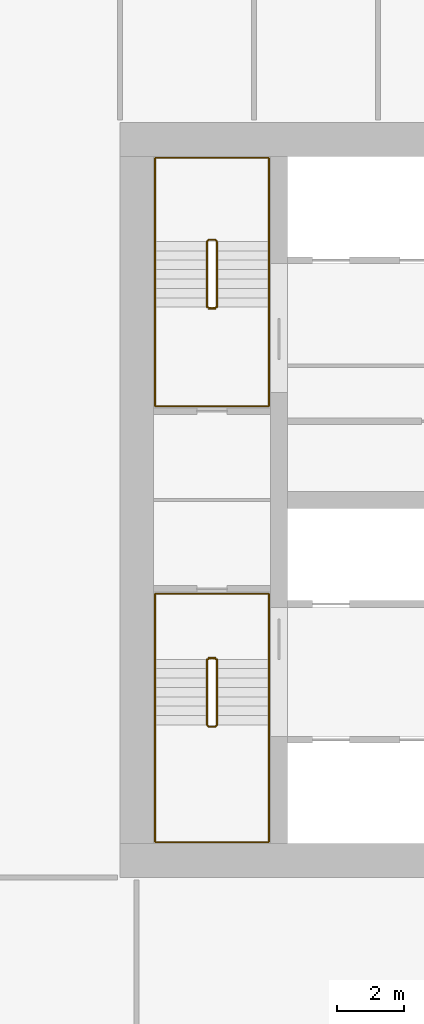
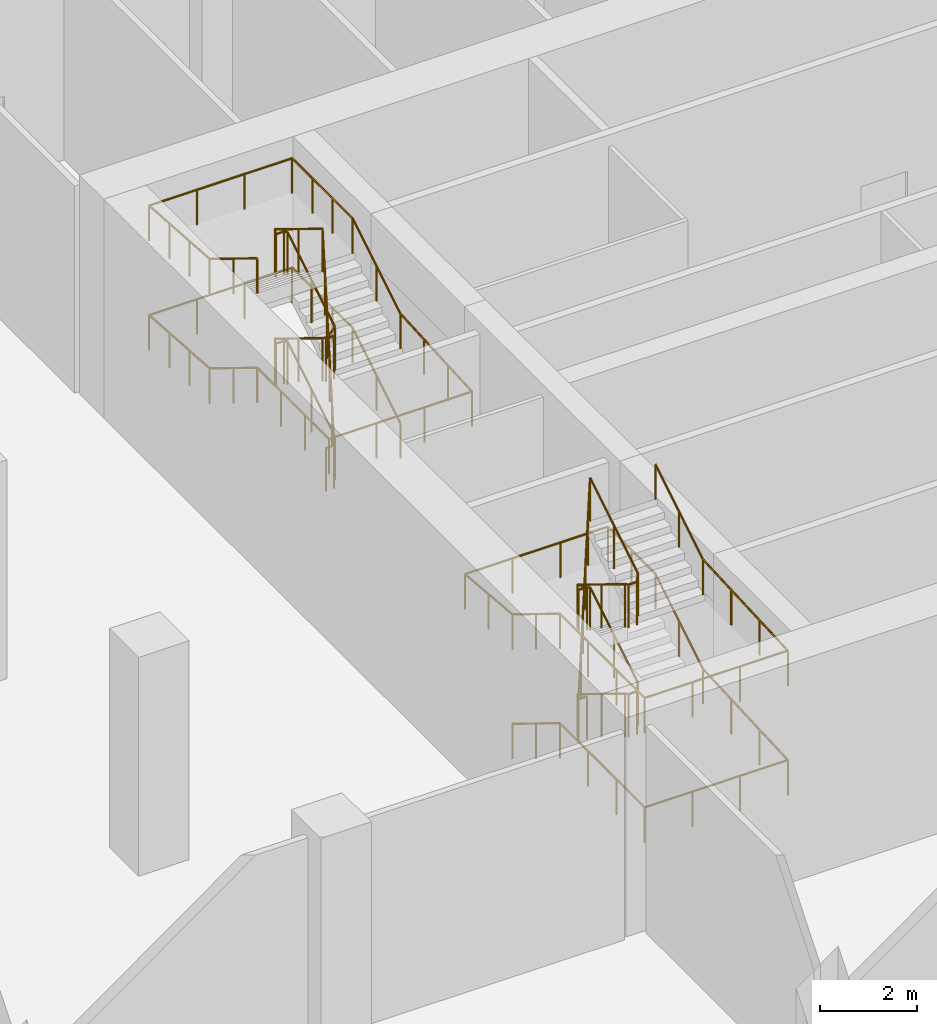
# One storey, part 25 of 35: 4 railings.
"""IFC4 building model written with IfcOpenShell, lengths in metres."""

from ifc_helpers import new_model, si_unit, direction, frame, origin, origin_2d, place, context, subcontext, project, spatial, circle, extrude, material, type_object, element, save


model = new_model("IFC4")

# Units and contexts
model_context = context("Model", 3, precision=1e-05, world=origin(), true_north=direction((0.0, 1.0)))
body_context = subcontext(model_context, "Body", "Model", "MODEL_VIEW")
ifc_project = project(units=[si_unit("LENGTHUNIT", "METRE"), si_unit("AREAUNIT", "SQUARE_METRE"), si_unit("VOLUMEUNIT", "CUBIC_METRE"), si_unit("PLANEANGLEUNIT", "RADIAN"), si_unit("MASSUNIT", "GRAM", prefix="KILO")], contexts=[model_context])

# Site, building, storey
site_placement = place(None, origin())
site = spatial("IfcSite", under=ifc_project, at=site_placement, CompositionType="ELEMENT")
building_placement = place(site_placement, origin())
building = spatial("IfcBuilding", under=site, at=building_placement, Name="Tamorin Gate", CompositionType="ELEMENT")
storey_placement = place(building_placement, frame((0.0, 0.0, 8.0)))
storey = spatial("IfcBuildingStorey", under=building, at=storey_placement, Name="L01", CompositionType="ELEMENT", Elevation=8.0)

# Railings
ifc_material_1 = material(Name="Painted steel balustrade", Category="steel")
railing_type_1 = type_object("IfcRailingType", Name="Stair guard 1100", PredefinedType="GUARDRAIL", material=ifc_material_1)
railing_1_placement = place(storey_placement, frame((32.60009765625, 66.5, 0.171875)))
element("IfcRailing", 1, at=railing_1_placement, inside=storey, type_object=railing_type_1, Name="L01 ST1 stair guard 1", PredefinedType="GUARDRAIL", context=body_context, shape_type="SweptSolid", body=[
    extrude(circle(Radius=0.02392578125, at=origin_2d()), frame((0.0, 0.0, 1.076171875), z_axis=(0.0, -0.852240978134, 0.523149419562), x_axis=(1.0, 0.0, 0.0)), (0.0, 0.0, 1.0), 2.2998046875),
    extrude(circle(Radius=0.02392578125, at=origin_2d()), frame((0.0, -1.9599609375, 2.279296875), z_axis=(0.705375805398, -0.708833529934, 0.0), x_axis=(0.708833529934, 0.705375805398, 0.0)), (0.0, 0.0, 1.0), 0.070556640625),
    extrude(circle(Radius=0.02392578125, at=origin_2d()), frame((0.0498046875, -2.010009765625, 2.279296875), z_axis=(1.0, 0.0, 0.0), x_axis=(0.0, 1.0, 0.0)), (0.0, 0.0, 1.0), 0.2001953125),
    extrude(circle(Radius=0.02392578125, at=origin_2d()), frame((0.25, -2.010009765625, 2.279296875), z_axis=(0.268036860282, 0.26935076646, 0.924989949209), x_axis=(-0.708833529934, 0.705375805398, 0.0)), (0.0, 0.0, 1.0), 0.185791015625),
    extrude(circle(Radius=0.02392578125, at=origin_2d()), frame((0.2998046875, -1.9599609375, 2.451171875), z_axis=(0.0, 0.852240978134, 0.523149419562), x_axis=(-1.0, 0.0, 0.0)), (0.0, 0.0, 1.0), 2.2998046875),
    extrude(circle(Radius=0.02392578125, at=origin_2d()), frame((0.2998046875, 0.0, 3.654296875), z_axis=(-0.98054382908, 0.196300278283, 0.0), x_axis=(-0.196300278283, -0.98054382908, 0.0)), (0.0, 0.0, 1.0), 0.2548828125),
    extrude(circle(Radius=0.02392578125, at=origin_2d()), frame((0.0498046875, 0.050048828125, 3.654296875), z_axis=(1.0, 0.0, 0.0), x_axis=(0.0, 1.0, 0.0)), (0.0, 0.0, 1.0), 0.2001953125),
    extrude(circle(Radius=0.02392578125, at=origin_2d()), frame((0.25, 0.050048828125, 3.654296875), z_axis=(-0.81305262559, -0.162769324459, 0.558973680093), x_axis=(0.196300278283, -0.98054382908, 0.0)), (0.0, 0.0, 1.0), 0.307373046875),
    extrude(circle(Radius=0.02392578125, at=origin_2d()), frame((0.0, 0.0, 3.826171875), z_axis=(0.0, -0.852240978134, 0.523149419562), x_axis=(1.0, 0.0, 0.0)), (0.0, 0.0, 1.0), 2.2998046875),
    extrude(circle(Radius=0.02392578125, at=origin_2d()), frame((0.0, -1.9599609375, 5.029296875), z_axis=(0.705375805398, -0.708833529934, 0.0), x_axis=(0.708833529934, 0.705375805398, 0.0)), (0.0, 0.0, 1.0), 0.070556640625),
    extrude(circle(Radius=0.02392578125, at=origin_2d()), frame((0.0498046875, -2.010009765625, 5.029296875), z_axis=(1.0, 0.0, 0.0), x_axis=(0.0, 1.0, 0.0)), (0.0, 0.0, 1.0), 0.2001953125),
    extrude(circle(Radius=0.02392578125, at=origin_2d()), frame((0.25, -2.010009765625, 5.029296875), z_axis=(0.268036860282, 0.26935076646, 0.924989949209), x_axis=(-0.708833529934, 0.705375805398, 0.0)), (0.0, 0.0, 1.0), 0.185791015625),
    extrude(circle(Radius=0.02392578125, at=origin_2d()), frame((0.2998046875, -1.9599609375, 5.201171875), z_axis=(0.0, 0.852240978134, 0.523149419562), x_axis=(-1.0, 0.0, 0.0)), (0.0, 0.0, 1.0), 2.2998046875),
    extrude(circle(Radius=0.02392578125, at=origin_2d()), frame((0.2998046875, 0.0, 6.404296875), z_axis=(-0.045405784895, 0.009090025296, -0.998927267692), x_axis=(-0.196300278283, -0.98054382908, 0.0)), (0.0, 0.0, 1.0), 5.505859375),
    extrude(circle(Radius=0.02392578125, at=origin_2d()), frame((0.0498046875, 0.050048828125, 0.904296875), z_axis=(1.0, 0.0, 0.0), x_axis=(0.0, 1.0, 0.0)), (0.0, 0.0, 1.0), 0.2001953125),
    extrude(circle(Radius=0.02099609375, at=origin_2d()), origin(), (0.0, 0.0, 1.0), 1.052001953125),
    extrude(circle(Radius=0.02099609375, at=origin_2d()), frame((0.0, -0.97998046875, 0.6015625)), (0.0, 0.0, 1.0), 1.052001953125),
    extrude(circle(Radius=0.02099609375, at=origin_2d()), frame((0.0, -1.9599609375, 1.203125)), (0.0, 0.0, 1.0), 1.052001953125),
    extrude(circle(Radius=0.02099609375, at=origin_2d()), frame((0.0498046875, -2.010009765625, 1.203125)), (0.0, 0.0, 1.0), 1.052001953125),
    extrude(circle(Radius=0.02099609375, at=origin_2d()), frame((0.25, -2.010009765625, 1.203125)), (0.0, 0.0, 1.0), 1.052001953125),
    extrude(circle(Radius=0.02099609375, at=origin_2d()), frame((0.2998046875, -1.9599609375, 1.375)), (0.0, 0.0, 1.0), 1.052001953125),
    extrude(circle(Radius=0.02099609375, at=origin_2d()), frame((0.2998046875, -0.97998046875, 1.9765625)), (0.0, 0.0, 1.0), 1.052001953125),
    extrude(circle(Radius=0.02099609375, at=origin_2d()), frame((0.2998046875, 0.0, 2.578125)), (0.0, 0.0, 1.0), 1.052001953125),
    extrude(circle(Radius=0.02099609375, at=origin_2d()), frame((0.0498046875, 0.050048828125, 2.578125)), (0.0, 0.0, 1.0), 1.052001953125),
    extrude(circle(Radius=0.02099609375, at=origin_2d()), frame((0.25, 0.050048828125, 2.578125)), (0.0, 0.0, 1.0), 1.052001953125),
    extrude(circle(Radius=0.02099609375, at=origin_2d()), frame((0.0, 0.0, 2.75)), (0.0, 0.0, 1.0), 1.052001953125),
    extrude(circle(Radius=0.02099609375, at=origin_2d()), frame((0.0, -0.97998046875, 3.3515625)), (0.0, 0.0, 1.0), 1.052001953125),
    extrude(circle(Radius=0.02099609375, at=origin_2d()), frame((0.0, -1.9599609375, 3.953125)), (0.0, 0.0, 1.0), 1.052001953125),
    extrude(circle(Radius=0.02099609375, at=origin_2d()), frame((0.0498046875, -2.010009765625, 3.953125)), (0.0, 0.0, 1.0), 1.052001953125),
    extrude(circle(Radius=0.02099609375, at=origin_2d()), frame((0.25, -2.010009765625, 3.953125)), (0.0, 0.0, 1.0), 1.052001953125),
    extrude(circle(Radius=0.02099609375, at=origin_2d()), frame((0.2998046875, -1.9599609375, 4.125)), (0.0, 0.0, 1.0), 1.052001953125),
    extrude(circle(Radius=0.02099609375, at=origin_2d()), frame((0.2998046875, -0.97998046875, 4.7265625)), (0.0, 0.0, 1.0), 1.052001953125),
    extrude(circle(Radius=0.02099609375, at=origin_2d()), frame((0.2998046875, 0.0, 5.328125)), (0.0, 0.0, 1.0), 1.052001953125),
    extrude(circle(Radius=0.02099609375, at=origin_2d()), frame((0.249755859375, 0.010009765625, 4.22802734375)), (0.0, 0.0, 1.0), 1.052001953125),
    extrude(circle(Radius=0.02099609375, at=origin_2d()), frame((0.19970703125, 0.02001953125, 3.128173828125)), (0.0, 0.0, 1.0), 1.052001953125),
    extrude(circle(Radius=0.02099609375, at=origin_2d()), frame((0.14990234375, 0.030029296875, 2.028076171875)), (0.0, 0.0, 1.0), 1.052001953125),
    extrude(circle(Radius=0.02099609375, at=origin_2d()), frame((0.099853515625, 0.0400390625, 0.92822265625)), (0.0, 0.0, 1.0), 1.052001953125),
    extrude(circle(Radius=0.02099609375, at=origin_2d()), frame((0.0498046875, 0.050048828125, -0.171875)), (0.0, 0.0, 1.0), 1.052001953125),
    extrude(circle(Radius=0.02099609375, at=origin_2d()), frame((0.25, 0.050048828125, -0.171875)), (0.0, 0.0, 1.0), 1.052001953125),
])
railing_2_placement = place(storey_placement, frame((32.89990234375, 77.0, 0.171875)))
element("IfcRailing", 2, at=railing_2_placement, inside=storey, type_object=railing_type_1, Name="L01 ST2 stair guard 1", PredefinedType="GUARDRAIL", context=body_context, shape_type="SweptSolid", body=[
    extrude(circle(Radius=0.02392578125, at=origin_2d()), frame((0.0, 0.0, 1.076171875), z_axis=(0.0, 0.852240978134, 0.523149419562), x_axis=(-1.0, 0.0, 0.0)), (0.0, 0.0, 1.0), 2.2998046875),
    extrude(circle(Radius=0.02392578125, at=origin_2d()), frame((0.0, 1.9599609375, 2.279296875), z_axis=(-0.705375805398, 0.708833529934, 0.0), x_axis=(-0.708833529934, -0.705375805398, 0.0)), (0.0, 0.0, 1.0), 0.070556640625),
    extrude(circle(Radius=0.02392578125, at=origin_2d()), frame((-0.0498046875, 2.010009765625, 2.279296875), z_axis=(-1.0, 0.0, 0.0), x_axis=(0.0, -1.0, 0.0)), (0.0, 0.0, 1.0), 0.2001953125),
    extrude(circle(Radius=0.02392578125, at=origin_2d()), frame((-0.25, 2.010009765625, 2.279296875), z_axis=(-0.268036860282, -0.26935076646, 0.924989949209), x_axis=(0.708833529934, -0.705375805398, 0.0)), (0.0, 0.0, 1.0), 0.185791015625),
    extrude(circle(Radius=0.02392578125, at=origin_2d()), frame((-0.2998046875, 1.9599609375, 2.451171875), z_axis=(0.0, -0.852240978134, 0.523149419562), x_axis=(1.0, 0.0, 0.0)), (0.0, 0.0, 1.0), 2.2998046875),
    extrude(circle(Radius=0.02392578125, at=origin_2d()), frame((-0.2998046875, 0.0, 3.654296875), z_axis=(0.98054382908, -0.196300278283, 0.0), x_axis=(0.196300278283, 0.98054382908, 0.0)), (0.0, 0.0, 1.0), 0.2548828125),
    extrude(circle(Radius=0.02392578125, at=origin_2d()), frame((-0.0498046875, -0.050048828125, 3.654296875), z_axis=(-1.0, 0.0, 0.0), x_axis=(0.0, -1.0, 0.0)), (0.0, 0.0, 1.0), 0.2001953125),
    extrude(circle(Radius=0.02392578125, at=origin_2d()), frame((-0.25, -0.050048828125, 3.654296875), z_axis=(0.81305262559, 0.162769324459, 0.558973680093), x_axis=(-0.196300278283, 0.98054382908, 0.0)), (0.0, 0.0, 1.0), 0.307373046875),
    extrude(circle(Radius=0.02392578125, at=origin_2d()), frame((0.0, 0.0, 3.826171875), z_axis=(0.0, 0.852240978134, 0.523149419562), x_axis=(-1.0, 0.0, 0.0)), (0.0, 0.0, 1.0), 2.2998046875),
    extrude(circle(Radius=0.02392578125, at=origin_2d()), frame((0.0, 1.9599609375, 5.029296875), z_axis=(-0.705375805398, 0.708833529934, 0.0), x_axis=(-0.708833529934, -0.705375805398, 0.0)), (0.0, 0.0, 1.0), 0.070556640625),
    extrude(circle(Radius=0.02392578125, at=origin_2d()), frame((-0.0498046875, 2.010009765625, 5.029296875), z_axis=(-1.0, 0.0, 0.0), x_axis=(0.0, -1.0, 0.0)), (0.0, 0.0, 1.0), 0.2001953125),
    extrude(circle(Radius=0.02392578125, at=origin_2d()), frame((-0.25, 2.010009765625, 5.029296875), z_axis=(-0.268036860282, -0.26935076646, 0.924989949209), x_axis=(0.708833529934, -0.705375805398, 0.0)), (0.0, 0.0, 1.0), 0.185791015625),
    extrude(circle(Radius=0.02392578125, at=origin_2d()), frame((-0.2998046875, 1.9599609375, 5.201171875), z_axis=(0.0, -0.852240978134, 0.523149419562), x_axis=(1.0, 0.0, 0.0)), (0.0, 0.0, 1.0), 2.2998046875),
    extrude(circle(Radius=0.02392578125, at=origin_2d()), frame((-0.2998046875, 0.0, 6.404296875), z_axis=(0.045405784895, -0.009090025296, -0.998927267692), x_axis=(0.196300278283, 0.98054382908, 0.0)), (0.0, 0.0, 1.0), 5.505859375),
    extrude(circle(Radius=0.02392578125, at=origin_2d()), frame((-0.0498046875, -0.050048828125, 0.904296875), z_axis=(-1.0, 0.0, 0.0), x_axis=(0.0, -1.0, 0.0)), (0.0, 0.0, 1.0), 0.2001953125),
    extrude(circle(Radius=0.02099609375, at=origin_2d()), origin(), (0.0, 0.0, 1.0), 1.052001953125),
    extrude(circle(Radius=0.02099609375, at=origin_2d()), frame((0.0, 0.97998046875, 0.6015625)), (0.0, 0.0, 1.0), 1.052001953125),
    extrude(circle(Radius=0.02099609375, at=origin_2d()), frame((0.0, 1.9599609375, 1.203125)), (0.0, 0.0, 1.0), 1.052001953125),
    extrude(circle(Radius=0.02099609375, at=origin_2d()), frame((-0.0498046875, 2.010009765625, 1.203125)), (0.0, 0.0, 1.0), 1.052001953125),
    extrude(circle(Radius=0.02099609375, at=origin_2d()), frame((-0.25, 2.010009765625, 1.203125)), (0.0, 0.0, 1.0), 1.052001953125),
    extrude(circle(Radius=0.02099609375, at=origin_2d()), frame((-0.2998046875, 1.9599609375, 1.375)), (0.0, 0.0, 1.0), 1.052001953125),
    extrude(circle(Radius=0.02099609375, at=origin_2d()), frame((-0.2998046875, 0.97998046875, 1.9765625)), (0.0, 0.0, 1.0), 1.052001953125),
    extrude(circle(Radius=0.02099609375, at=origin_2d()), frame((-0.2998046875, 0.0, 2.578125)), (0.0, 0.0, 1.0), 1.052001953125),
    extrude(circle(Radius=0.02099609375, at=origin_2d()), frame((-0.0498046875, -0.050048828125, 2.578125)), (0.0, 0.0, 1.0), 1.052001953125),
    extrude(circle(Radius=0.02099609375, at=origin_2d()), frame((-0.25, -0.050048828125, 2.578125)), (0.0, 0.0, 1.0), 1.052001953125),
    extrude(circle(Radius=0.02099609375, at=origin_2d()), frame((0.0, 0.0, 2.75)), (0.0, 0.0, 1.0), 1.052001953125),
    extrude(circle(Radius=0.02099609375, at=origin_2d()), frame((0.0, 0.97998046875, 3.3515625)), (0.0, 0.0, 1.0), 1.052001953125),
    extrude(circle(Radius=0.02099609375, at=origin_2d()), frame((0.0, 1.9599609375, 3.953125)), (0.0, 0.0, 1.0), 1.052001953125),
    extrude(circle(Radius=0.02099609375, at=origin_2d()), frame((-0.0498046875, 2.010009765625, 3.953125)), (0.0, 0.0, 1.0), 1.052001953125),
    extrude(circle(Radius=0.02099609375, at=origin_2d()), frame((-0.25, 2.010009765625, 3.953125)), (0.0, 0.0, 1.0), 1.052001953125),
    extrude(circle(Radius=0.02099609375, at=origin_2d()), frame((-0.2998046875, 1.9599609375, 4.125)), (0.0, 0.0, 1.0), 1.052001953125),
    extrude(circle(Radius=0.02099609375, at=origin_2d()), frame((-0.2998046875, 0.97998046875, 4.7265625)), (0.0, 0.0, 1.0), 1.052001953125),
    extrude(circle(Radius=0.02099609375, at=origin_2d()), frame((-0.2998046875, 0.0, 5.328125)), (0.0, 0.0, 1.0), 1.052001953125),
    extrude(circle(Radius=0.02099609375, at=origin_2d()), frame((-0.249755859375, -0.010009765625, 4.22802734375)), (0.0, 0.0, 1.0), 1.052001953125),
    extrude(circle(Radius=0.02099609375, at=origin_2d()), frame((-0.19970703125, -0.02001953125, 3.128173828125)), (0.0, 0.0, 1.0), 1.052001953125),
    extrude(circle(Radius=0.02099609375, at=origin_2d()), frame((-0.14990234375, -0.030029296875, 2.028076171875)), (0.0, 0.0, 1.0), 1.052001953125),
    extrude(circle(Radius=0.02099609375, at=origin_2d()), frame((-0.099853515625, -0.0400390625, 0.92822265625)), (0.0, 0.0, 1.0), 1.052001953125),
    extrude(circle(Radius=0.02099609375, at=origin_2d()), frame((-0.0498046875, -0.050048828125, -0.171875)), (0.0, 0.0, 1.0), 1.052001953125),
    extrude(circle(Radius=0.02099609375, at=origin_2d()), frame((-0.25, -0.050048828125, -0.171875)), (0.0, 0.0, 1.0), 1.052001953125),
])
ifc_material_2 = material(Name="Painted steel handrail", Category="steel")
railing_type_2 = type_object("IfcRailingType", Name="Stair handrail 900", PredefinedType="HANDRAIL", material=ifc_material_2)
railing_3_placement = place(storey_placement, frame((31.050048828125, 66.5, 0.171875)))
element("IfcRailing", 3, at=railing_3_placement, inside=storey, type_object=railing_type_2, Name="L01 ST1 stair handrail 1", PredefinedType="HANDRAIL", context=body_context, shape_type="SweptSolid", body=[
    extrude(circle(Radius=0.02392578125, at=origin_2d()), frame((0.0, 0.0, 0.8759765625), z_axis=(0.0, -0.852240978134, 0.523149419562), x_axis=(1.0, 0.0, 0.0)), (0.0, 0.0, 1.0), 2.2998046875),
    extrude(circle(Radius=0.02392578125, at=origin_2d()), frame((0.0, -1.9599609375, 2.0791015625), z_axis=(0.0, -1.0, 0.0), x_axis=(1.0, 0.0, 0.0)), (0.0, 0.0, 1.0), 3.489990234375),
    extrude(circle(Radius=0.02392578125, at=origin_2d()), frame((0.0, -5.449951171875, 2.0791015625), z_axis=(1.0, 0.0, 0.0), x_axis=(0.0, 1.0, 0.0)), (0.0, 0.0, 1.0), 3.39990234375),
    extrude(circle(Radius=0.02392578125, at=origin_2d()), frame((3.39990234375, -5.449951171875, 2.0791015625), z_axis=(0.0, 0.998789519247, 0.049188375065), x_axis=(-1.0, 0.0, 0.0)), (0.0, 0.0, 1.0), 3.494140625),
    extrude(circle(Radius=0.02392578125, at=origin_2d()), frame((3.39990234375, -1.9599609375, 2.2509765625), z_axis=(0.0, 0.852240978134, 0.523149419562), x_axis=(-1.0, 0.0, 0.0)), (0.0, 0.0, 1.0), 2.2998046875),
    extrude(circle(Radius=0.02392578125, at=origin_2d()), frame((3.39990234375, 0.0, 3.4541015625), z_axis=(0.0, 1.0, 0.0), x_axis=(-1.0, 0.0, 0.0)), (0.0, 0.0, 1.0), 1.949951171875),
    extrude(circle(Radius=0.02392578125, at=origin_2d()), frame((3.39990234375, 1.949951171875, 3.4541015625), z_axis=(-1.0, 0.0, 0.0), x_axis=(0.0, -1.0, 0.0)), (0.0, 0.0, 1.0), 3.39990234375),
    extrude(circle(Radius=0.02392578125, at=origin_2d()), frame((0.0, 1.949951171875, 3.4541015625), z_axis=(0.0, -0.996137875047, 0.087802812575), x_axis=(1.0, 0.0, 0.0)), (0.0, 0.0, 1.0), 1.95751953125),
    extrude(circle(Radius=0.02392578125, at=origin_2d()), frame((0.0, 0.0, 3.6259765625), z_axis=(0.0, -0.852240978134, 0.523149419562), x_axis=(1.0, 0.0, 0.0)), (0.0, 0.0, 1.0), 2.2998046875),
    extrude(circle(Radius=0.02392578125, at=origin_2d()), frame((0.0, -1.9599609375, 4.8291015625), z_axis=(0.0, -1.0, 0.0), x_axis=(1.0, 0.0, 0.0)), (0.0, 0.0, 1.0), 3.489990234375),
    extrude(circle(Radius=0.02392578125, at=origin_2d()), frame((0.0, -5.449951171875, 4.8291015625), z_axis=(1.0, 0.0, 0.0), x_axis=(0.0, 1.0, 0.0)), (0.0, 0.0, 1.0), 3.39990234375),
    extrude(circle(Radius=0.02392578125, at=origin_2d()), frame((3.39990234375, -5.449951171875, 4.8291015625), z_axis=(0.0, 0.998789519247, 0.049188375065), x_axis=(-1.0, 0.0, 0.0)), (0.0, 0.0, 1.0), 3.494140625),
    extrude(circle(Radius=0.02392578125, at=origin_2d()), frame((3.39990234375, -1.9599609375, 5.0009765625), z_axis=(0.0, 0.852240978134, 0.523149419562), x_axis=(-1.0, 0.0, 0.0)), (0.0, 0.0, 1.0), 2.2998046875),
    extrude(circle(Radius=0.02099609375, at=origin_2d()), origin(), (0.0, 0.0, 1.0), 0.851806640625),
    extrude(circle(Radius=0.02099609375, at=origin_2d()), frame((0.0, -0.97998046875, 0.6015625)), (0.0, 0.0, 1.0), 0.851806640625),
    extrude(circle(Radius=0.02099609375, at=origin_2d()), frame((0.0, -1.9599609375, 1.203125)), (0.0, 0.0, 1.0), 0.851806640625),
    extrude(circle(Radius=0.02099609375, at=origin_2d()), frame((0.0, -3.123291015625, 1.203125)), (0.0, 0.0, 1.0), 0.851806640625),
    extrude(circle(Radius=0.02099609375, at=origin_2d()), frame((0.0, -4.28662109375, 1.203125)), (0.0, 0.0, 1.0), 0.851806640625),
    extrude(circle(Radius=0.02099609375, at=origin_2d()), frame((0.0, -5.449951171875, 1.203125)), (0.0, 0.0, 1.0), 0.851806640625),
    extrude(circle(Radius=0.02099609375, at=origin_2d()), frame((1.13330078125, -5.449951171875, 1.203125)), (0.0, 0.0, 1.0), 0.851806640625),
    extrude(circle(Radius=0.02099609375, at=origin_2d()), frame((2.2666015625, -5.449951171875, 1.203125)), (0.0, 0.0, 1.0), 0.851806640625),
    extrude(circle(Radius=0.02099609375, at=origin_2d()), frame((3.39990234375, -5.449951171875, 1.203125)), (0.0, 0.0, 1.0), 0.851806640625),
    extrude(circle(Radius=0.02099609375, at=origin_2d()), frame((3.39990234375, -4.28662109375, 1.260498046875)), (0.0, 0.0, 1.0), 0.851806640625),
    extrude(circle(Radius=0.02099609375, at=origin_2d()), frame((3.39990234375, -3.123291015625, 1.317626953125)), (0.0, 0.0, 1.0), 0.851806640625),
    extrude(circle(Radius=0.02099609375, at=origin_2d()), frame((3.39990234375, -1.9599609375, 1.375)), (0.0, 0.0, 1.0), 0.851806640625),
    extrude(circle(Radius=0.02099609375, at=origin_2d()), frame((3.39990234375, -0.97998046875, 1.9765625)), (0.0, 0.0, 1.0), 0.851806640625),
    extrude(circle(Radius=0.02099609375, at=origin_2d()), frame((3.39990234375, 0.0, 2.578125)), (0.0, 0.0, 1.0), 0.851806640625),
    extrude(circle(Radius=0.02099609375, at=origin_2d()), frame((3.39990234375, 0.97509765625, 2.578125)), (0.0, 0.0, 1.0), 0.851806640625),
    extrude(circle(Radius=0.02099609375, at=origin_2d()), frame((3.39990234375, 1.949951171875, 2.578125)), (0.0, 0.0, 1.0), 0.851806640625),
    extrude(circle(Radius=0.02099609375, at=origin_2d()), frame((2.2666015625, 1.949951171875, 2.578125)), (0.0, 0.0, 1.0), 0.851806640625),
    extrude(circle(Radius=0.02099609375, at=origin_2d()), frame((1.13330078125, 1.949951171875, 2.578125)), (0.0, 0.0, 1.0), 0.851806640625),
    extrude(circle(Radius=0.02099609375, at=origin_2d()), frame((0.0, 1.949951171875, 2.578125)), (0.0, 0.0, 1.0), 0.851806640625),
    extrude(circle(Radius=0.02099609375, at=origin_2d()), frame((0.0, 0.97509765625, 2.6640625)), (0.0, 0.0, 1.0), 0.851806640625),
    extrude(circle(Radius=0.02099609375, at=origin_2d()), frame((0.0, 0.0, 2.75)), (0.0, 0.0, 1.0), 0.851806640625),
    extrude(circle(Radius=0.02099609375, at=origin_2d()), frame((0.0, -0.97998046875, 3.3515625)), (0.0, 0.0, 1.0), 0.851806640625),
    extrude(circle(Radius=0.02099609375, at=origin_2d()), frame((0.0, -1.9599609375, 3.953125)), (0.0, 0.0, 1.0), 0.851806640625),
    extrude(circle(Radius=0.02099609375, at=origin_2d()), frame((0.0, -3.123291015625, 3.953125)), (0.0, 0.0, 1.0), 0.851806640625),
    extrude(circle(Radius=0.02099609375, at=origin_2d()), frame((0.0, -4.28662109375, 3.953125)), (0.0, 0.0, 1.0), 0.851806640625),
    extrude(circle(Radius=0.02099609375, at=origin_2d()), frame((0.0, -5.449951171875, 3.953125)), (0.0, 0.0, 1.0), 0.851806640625),
    extrude(circle(Radius=0.02099609375, at=origin_2d()), frame((1.13330078125, -5.449951171875, 3.953125)), (0.0, 0.0, 1.0), 0.851806640625),
    extrude(circle(Radius=0.02099609375, at=origin_2d()), frame((2.2666015625, -5.449951171875, 3.953125)), (0.0, 0.0, 1.0), 0.851806640625),
    extrude(circle(Radius=0.02099609375, at=origin_2d()), frame((3.39990234375, -5.449951171875, 3.953125)), (0.0, 0.0, 1.0), 0.851806640625),
    extrude(circle(Radius=0.02099609375, at=origin_2d()), frame((3.39990234375, -4.28662109375, 4.010498046875)), (0.0, 0.0, 1.0), 0.851806640625),
    extrude(circle(Radius=0.02099609375, at=origin_2d()), frame((3.39990234375, -3.123291015625, 4.067626953125)), (0.0, 0.0, 1.0), 0.851806640625),
    extrude(circle(Radius=0.02099609375, at=origin_2d()), frame((3.39990234375, -1.9599609375, 4.125)), (0.0, 0.0, 1.0), 0.851806640625),
    extrude(circle(Radius=0.02099609375, at=origin_2d()), frame((3.39990234375, -0.97998046875, 4.7265625)), (0.0, 0.0, 1.0), 0.851806640625),
    extrude(circle(Radius=0.02099609375, at=origin_2d()), frame((3.39990234375, 0.0, 5.328125)), (0.0, 0.0, 1.0), 0.851806640625),
])
railing_4_placement = place(storey_placement, frame((34.449951171875, 77.0, 0.171875)))
element("IfcRailing", 4, at=railing_4_placement, inside=storey, type_object=railing_type_2, Name="L01 ST2 stair handrail 1", PredefinedType="HANDRAIL", context=body_context, shape_type="SweptSolid", body=[
    extrude(circle(Radius=0.02392578125, at=origin_2d()), frame((0.0, 0.0, 0.8759765625), z_axis=(0.0, 0.852240978134, 0.523149419562), x_axis=(-1.0, 0.0, 0.0)), (0.0, 0.0, 1.0), 2.2998046875),
    extrude(circle(Radius=0.02392578125, at=origin_2d()), frame((0.0, 1.9599609375, 2.0791015625), z_axis=(0.0, 1.0, 0.0), x_axis=(-1.0, 0.0, 0.0)), (0.0, 0.0, 1.0), 2.489990234375),
    extrude(circle(Radius=0.02392578125, at=origin_2d()), frame((0.0, 4.449951171875, 2.0791015625), z_axis=(-1.0, 0.0, 0.0), x_axis=(0.0, -1.0, 0.0)), (0.0, 0.0, 1.0), 3.39990234375),
    extrude(circle(Radius=0.02392578125, at=origin_2d()), frame((-3.39990234375, 4.449951171875, 2.0791015625), z_axis=(0.0, -0.997626159281, 0.068862517515), x_axis=(1.0, 0.0, 0.0)), (0.0, 0.0, 1.0), 2.495849609375),
    extrude(circle(Radius=0.02392578125, at=origin_2d()), frame((-3.39990234375, 1.9599609375, 2.2509765625), z_axis=(0.0, -0.852240978134, 0.523149419562), x_axis=(1.0, 0.0, 0.0)), (0.0, 0.0, 1.0), 2.2998046875),
    extrude(circle(Radius=0.02392578125, at=origin_2d()), frame((-3.39990234375, 0.0, 3.4541015625), z_axis=(0.0, -1.0, 0.0), x_axis=(1.0, 0.0, 0.0)), (0.0, 0.0, 1.0), 2.949951171875),
    extrude(circle(Radius=0.02392578125, at=origin_2d()), frame((-3.39990234375, -2.949951171875, 3.4541015625), z_axis=(1.0, 0.0, 0.0), x_axis=(0.0, 1.0, 0.0)), (0.0, 0.0, 1.0), 3.39990234375),
    extrude(circle(Radius=0.02392578125, at=origin_2d()), frame((0.0, -2.949951171875, 3.4541015625), z_axis=(0.0, 0.99830698121, 0.058165034741), x_axis=(-1.0, 0.0, 0.0)), (0.0, 0.0, 1.0), 2.954833984375),
    extrude(circle(Radius=0.02392578125, at=origin_2d()), frame((0.0, 0.0, 3.6259765625), z_axis=(0.0, 0.852240978134, 0.523149419562), x_axis=(-1.0, 0.0, 0.0)), (0.0, 0.0, 1.0), 2.2998046875),
    extrude(circle(Radius=0.02392578125, at=origin_2d()), frame((0.0, 1.9599609375, 4.8291015625), z_axis=(0.0, 1.0, 0.0), x_axis=(-1.0, 0.0, 0.0)), (0.0, 0.0, 1.0), 2.489990234375),
    extrude(circle(Radius=0.02392578125, at=origin_2d()), frame((0.0, 4.449951171875, 4.8291015625), z_axis=(-1.0, 0.0, 0.0), x_axis=(0.0, -1.0, 0.0)), (0.0, 0.0, 1.0), 3.39990234375),
    extrude(circle(Radius=0.02392578125, at=origin_2d()), frame((-3.39990234375, 4.449951171875, 4.8291015625), z_axis=(0.0, -0.997626159281, 0.068862517515), x_axis=(1.0, 0.0, 0.0)), (0.0, 0.0, 1.0), 2.495849609375),
    extrude(circle(Radius=0.02392578125, at=origin_2d()), frame((-3.39990234375, 1.9599609375, 5.0009765625), z_axis=(0.0, -0.852240978134, 0.523149419562), x_axis=(1.0, 0.0, 0.0)), (0.0, 0.0, 1.0), 2.2998046875),
    extrude(circle(Radius=0.02099609375, at=origin_2d()), origin(), (0.0, 0.0, 1.0), 0.851806640625),
    extrude(circle(Radius=0.02099609375, at=origin_2d()), frame((0.0, 0.97998046875, 0.6015625)), (0.0, 0.0, 1.0), 0.851806640625),
    extrude(circle(Radius=0.02099609375, at=origin_2d()), frame((0.0, 1.9599609375, 1.203125)), (0.0, 0.0, 1.0), 0.851806640625),
    extrude(circle(Radius=0.02099609375, at=origin_2d()), frame((0.0, 2.7900390625, 1.203125)), (0.0, 0.0, 1.0), 0.851806640625),
    extrude(circle(Radius=0.02099609375, at=origin_2d()), frame((0.0, 3.619873046875, 1.203125)), (0.0, 0.0, 1.0), 0.851806640625),
    extrude(circle(Radius=0.02099609375, at=origin_2d()), frame((0.0, 4.449951171875, 1.203125)), (0.0, 0.0, 1.0), 0.851806640625),
    extrude(circle(Radius=0.02099609375, at=origin_2d()), frame((-1.13330078125, 4.449951171875, 1.203125)), (0.0, 0.0, 1.0), 0.851806640625),
    extrude(circle(Radius=0.02099609375, at=origin_2d()), frame((-2.2666015625, 4.449951171875, 1.203125)), (0.0, 0.0, 1.0), 0.851806640625),
    extrude(circle(Radius=0.02099609375, at=origin_2d()), frame((-3.39990234375, 4.449951171875, 1.203125)), (0.0, 0.0, 1.0), 0.851806640625),
    extrude(circle(Radius=0.02099609375, at=origin_2d()), frame((-3.39990234375, 3.619873046875, 1.260498046875)), (0.0, 0.0, 1.0), 0.851806640625),
    extrude(circle(Radius=0.02099609375, at=origin_2d()), frame((-3.39990234375, 2.7900390625, 1.317626953125)), (0.0, 0.0, 1.0), 0.851806640625),
    extrude(circle(Radius=0.02099609375, at=origin_2d()), frame((-3.39990234375, 1.9599609375, 1.375)), (0.0, 0.0, 1.0), 0.851806640625),
    extrude(circle(Radius=0.02099609375, at=origin_2d()), frame((-3.39990234375, 0.97998046875, 1.9765625)), (0.0, 0.0, 1.0), 0.851806640625),
    extrude(circle(Radius=0.02099609375, at=origin_2d()), frame((-3.39990234375, 0.0, 2.578125)), (0.0, 0.0, 1.0), 0.851806640625),
    extrude(circle(Radius=0.02099609375, at=origin_2d()), frame((-3.39990234375, -0.9833984375, 2.578125)), (0.0, 0.0, 1.0), 0.851806640625),
    extrude(circle(Radius=0.02099609375, at=origin_2d()), frame((-3.39990234375, -1.966552734375, 2.578125)), (0.0, 0.0, 1.0), 0.851806640625),
    extrude(circle(Radius=0.02099609375, at=origin_2d()), frame((-3.39990234375, -2.949951171875, 2.578125)), (0.0, 0.0, 1.0), 0.851806640625),
    extrude(circle(Radius=0.02099609375, at=origin_2d()), frame((-2.2666015625, -2.949951171875, 2.578125)), (0.0, 0.0, 1.0), 0.851806640625),
    extrude(circle(Radius=0.02099609375, at=origin_2d()), frame((-1.13330078125, -2.949951171875, 2.578125)), (0.0, 0.0, 1.0), 0.851806640625),
    extrude(circle(Radius=0.02099609375, at=origin_2d()), frame((0.0, -2.949951171875, 2.578125)), (0.0, 0.0, 1.0), 0.851806640625),
    extrude(circle(Radius=0.02099609375, at=origin_2d()), frame((0.0, -1.966552734375, 2.635498046875)), (0.0, 0.0, 1.0), 0.851806640625),
    extrude(circle(Radius=0.02099609375, at=origin_2d()), frame((0.0, -0.9833984375, 2.692626953125)), (0.0, 0.0, 1.0), 0.851806640625),
    extrude(circle(Radius=0.02099609375, at=origin_2d()), frame((0.0, 0.0, 2.75)), (0.0, 0.0, 1.0), 0.851806640625),
    extrude(circle(Radius=0.02099609375, at=origin_2d()), frame((0.0, 0.97998046875, 3.3515625)), (0.0, 0.0, 1.0), 0.851806640625),
    extrude(circle(Radius=0.02099609375, at=origin_2d()), frame((0.0, 1.9599609375, 3.953125)), (0.0, 0.0, 1.0), 0.851806640625),
    extrude(circle(Radius=0.02099609375, at=origin_2d()), frame((0.0, 2.7900390625, 3.953125)), (0.0, 0.0, 1.0), 0.851806640625),
    extrude(circle(Radius=0.02099609375, at=origin_2d()), frame((0.0, 3.619873046875, 3.953125)), (0.0, 0.0, 1.0), 0.851806640625),
    extrude(circle(Radius=0.02099609375, at=origin_2d()), frame((0.0, 4.449951171875, 3.953125)), (0.0, 0.0, 1.0), 0.851806640625),
    extrude(circle(Radius=0.02099609375, at=origin_2d()), frame((-1.13330078125, 4.449951171875, 3.953125)), (0.0, 0.0, 1.0), 0.851806640625),
    extrude(circle(Radius=0.02099609375, at=origin_2d()), frame((-2.2666015625, 4.449951171875, 3.953125)), (0.0, 0.0, 1.0), 0.851806640625),
    extrude(circle(Radius=0.02099609375, at=origin_2d()), frame((-3.39990234375, 4.449951171875, 3.953125)), (0.0, 0.0, 1.0), 0.851806640625),
    extrude(circle(Radius=0.02099609375, at=origin_2d()), frame((-3.39990234375, 3.619873046875, 4.010498046875)), (0.0, 0.0, 1.0), 0.851806640625),
    extrude(circle(Radius=0.02099609375, at=origin_2d()), frame((-3.39990234375, 2.7900390625, 4.067626953125)), (0.0, 0.0, 1.0), 0.851806640625),
    extrude(circle(Radius=0.02099609375, at=origin_2d()), frame((-3.39990234375, 1.9599609375, 4.125)), (0.0, 0.0, 1.0), 0.851806640625),
    extrude(circle(Radius=0.02099609375, at=origin_2d()), frame((-3.39990234375, 0.97998046875, 4.7265625)), (0.0, 0.0, 1.0), 0.851806640625),
    extrude(circle(Radius=0.02099609375, at=origin_2d()), frame((-3.39990234375, 0.0, 5.328125)), (0.0, 0.0, 1.0), 0.851806640625),
])

save(model, "model.ifc")
